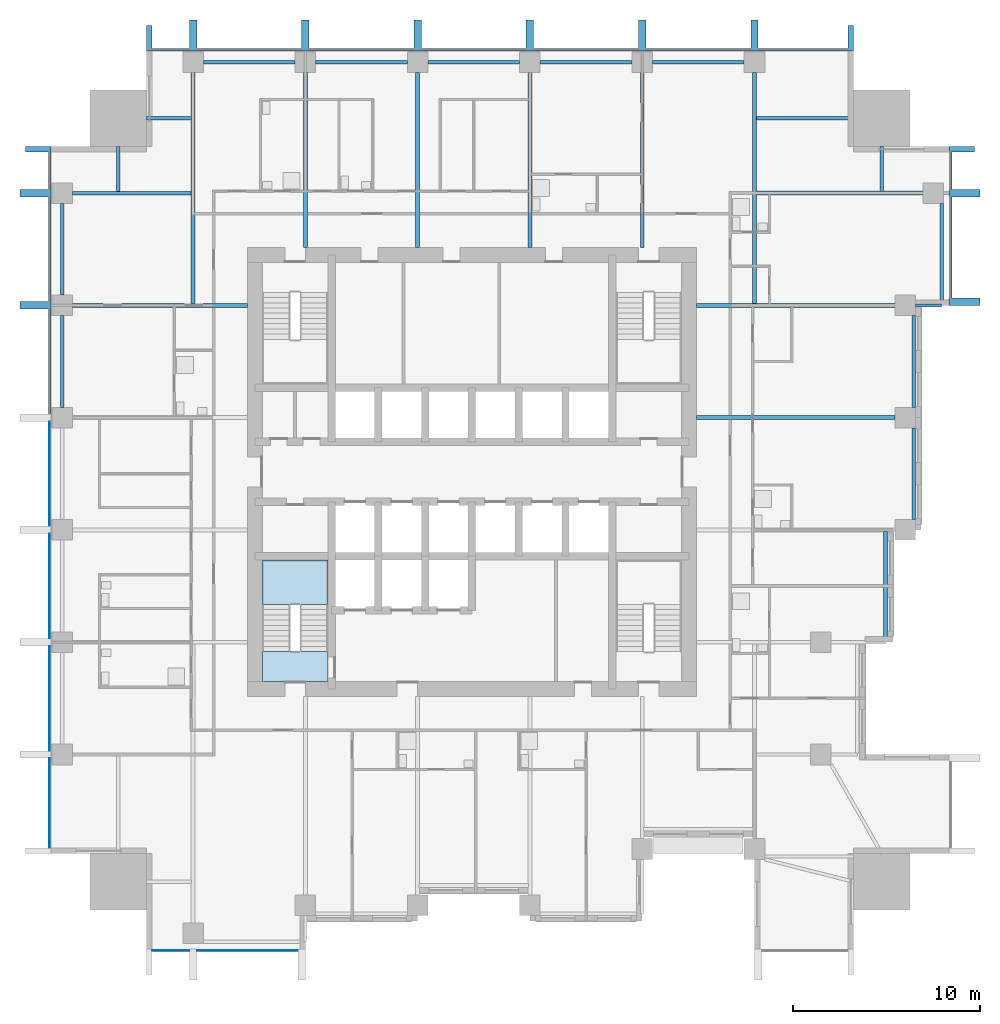
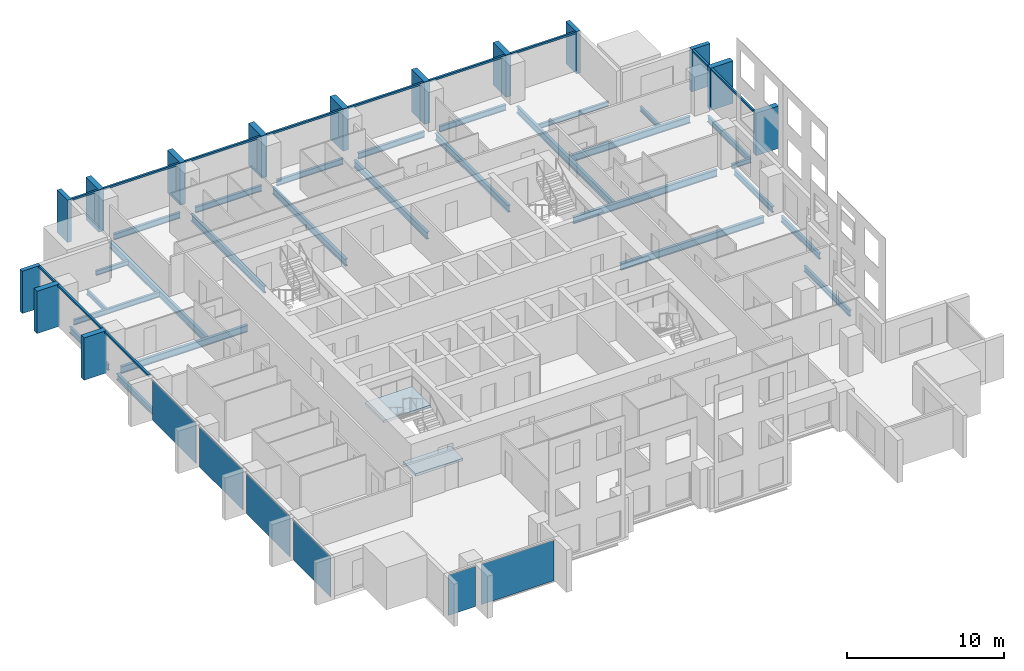
# One storey, part 2 of 11: 27 beams, 26 members, 6 plates, 2 slabs, 5 elements without a shape of their own.
"""IFC4 building model written with IfcOpenShell, lengths in metres."""

from ifc_helpers import new_model, si_unit, direction, frame, origin, origin_2d, place, context, subcontext, project, spatial, polyline, rectangle, i_section, outline, extrude, material, layer, layer_set, material_profile, profile_set, type_object, element, aggregate, save


model = new_model("IFC4")

# Units and contexts
model_context = context("Model", 3, precision=1e-05, world=origin(), true_north=direction((0.0, 1.0)))
body_context = subcontext(model_context, "Body", "Model", "MODEL_VIEW")
ifc_project = project(units=[si_unit("LENGTHUNIT", "METRE"), si_unit("AREAUNIT", "SQUARE_METRE"), si_unit("VOLUMEUNIT", "CUBIC_METRE"), si_unit("PLANEANGLEUNIT", "RADIAN"), si_unit("MASSUNIT", "GRAM", prefix="KILO")], contexts=[model_context])

# Site, building, storey
site_placement = place(None, origin())
site = spatial("IfcSite", under=ifc_project, at=site_placement, CompositionType="ELEMENT")
building_placement = place(site_placement, origin())
building = spatial("IfcBuilding", under=site, at=building_placement, Name="Amberfall Residences", CompositionType="ELEMENT")
storey_placement = place(building_placement, frame((0.0, 0.0, 115.0)))
storey = spatial("IfcBuildingStorey", under=building, at=storey_placement, Name="L31", CompositionType="ELEMENT", Elevation=115.0)

# Curtain wall, members
ifc_material_1 = material(Name="Bronze anodised aluminium and glass", Category="aluminium")
curtain_wall_type = type_object("IfcCurtainWallType", Name="Curtain wall CW1 tower unit", PredefinedType="USERDEFINED", material=ifc_material_1)
curtain_wall_1_placement = place(storey_placement, origin())
curtain_wall_1 = element("IfcCurtainWall", 1, at=curtain_wall_1_placement, inside=storey, type_object=curtain_wall_type, Name="Curtain wall L31 E E10", ObjectType="UNITISED CURTAIN WALL", PredefinedType="USERDEFINED")
ifc_material_2 = material(Name="Bronze anodised aluminium", Category="aluminium")
ifc_material_profile_1 = material_profile(ifc_material_2, rectangle(XDim=0.14990234375, YDim=0.14990234375, at=origin_2d()), Name="CW1 transom 150 x 150 bronze")
ifc_profile_set_1 = profile_set([ifc_material_profile_1], Name="Bronze anodised aluminium")
member_type_1 = type_object("IfcMemberType", Name="CW1 transom 150 x 150 bronze", PredefinedType="USERDEFINED", material=ifc_profile_set_1)
member_1_placement = place(storey_placement, frame((100.074951171875, 54.800048828125, 2.97509765625), z_axis=(0.0, 1.0, 0.0), x_axis=(-1.0, 0.0, 0.0)))
member_1 = element("IfcMember", 2, at=member_1_placement, type_object=member_type_1, Name="CW1 transom 1.1", ObjectType="TRANSOM", PredefinedType="USERDEFINED", context=body_context, shape_type="SweptSolid", body=[
    extrude(rectangle(XDim=0.14990234375, YDim=0.14990234375, at=origin_2d()), origin(), (0.0, 0.0, 1.0), 5.39990234375),
])
member_2_placement = place(storey_placement, frame((100.074951171875, 60.60009765625, 2.97509765625), z_axis=(0.0, 1.0, 0.0), x_axis=(-1.0, 0.0, 0.0)))
member_2 = element("IfcMember", 3, at=member_2_placement, type_object=member_type_1, Name="CW1 transom 2.1", ObjectType="TRANSOM", PredefinedType="USERDEFINED", context=body_context, shape_type="SweptSolid", body=[
    extrude(rectangle(XDim=0.14990234375, YDim=0.14990234375, at=origin_2d()), origin(), (0.0, 0.0, 1.0), 2.0),
])

curtain_wall_2_placement = place(storey_placement, origin())
curtain_wall_2 = element("IfcCurtainWall", 4, at=curtain_wall_2_placement, inside=storey, type_object=curtain_wall_type, Name="Curtain wall L31 N N1", ObjectType="UNITISED CURTAIN WALL", PredefinedType="USERDEFINED")
member_3_placement = place(storey_placement, frame((94.60009765625, 68.074951171875, 2.97509765625), z_axis=(-1.0, 0.0, 0.0), x_axis=(0.0, -1.0, 0.0)))
member_3 = element("IfcMember", 5, at=member_3_placement, type_object=member_type_1, Name="CW1 transom 1.1", ObjectType="TRANSOM", PredefinedType="USERDEFINED", context=body_context, shape_type="SweptSolid", body=[
    extrude(rectangle(XDim=0.14990234375, YDim=0.14990234375, at=origin_2d()), origin(), (0.0, 0.0, 1.0), 4.800048828125),
])
member_4_placement = place(storey_placement, frame((89.39990234375, 68.074951171875, 2.97509765625), z_axis=(-1.0, 0.0, 0.0), x_axis=(0.0, -1.0, 0.0)))
member_4 = element("IfcMember", 6, at=member_4_placement, type_object=member_type_1, Name="CW1 transom 2.1", ObjectType="TRANSOM", PredefinedType="USERDEFINED", context=body_context, shape_type="SweptSolid", body=[
    extrude(rectangle(XDim=0.14990234375, YDim=0.14990234375, at=origin_2d()), origin(), (0.0, 0.0, 1.0), 5.599853515625),
])
member_5_placement = place(storey_placement, frame((83.39990234375, 68.074951171875, 2.97509765625), z_axis=(-1.0, 0.0, 0.0), x_axis=(0.0, -1.0, 0.0)))
member_5 = element("IfcMember", 7, at=member_5_placement, type_object=member_type_1, Name="CW1 transom 3.1", ObjectType="TRANSOM", PredefinedType="USERDEFINED", context=body_context, shape_type="SweptSolid", body=[
    extrude(rectangle(XDim=0.14990234375, YDim=0.14990234375, at=origin_2d()), origin(), (0.0, 0.0, 1.0), 5.599853515625),
])
member_6_placement = place(storey_placement, frame((77.39990234375, 68.074951171875, 2.97509765625), z_axis=(-1.0, 0.0, 0.0), x_axis=(0.0, -1.0, 0.0)))
member_6 = element("IfcMember", 8, at=member_6_placement, type_object=member_type_1, Name="CW1 transom 4.1", ObjectType="TRANSOM", PredefinedType="USERDEFINED", context=body_context, shape_type="SweptSolid", body=[
    extrude(rectangle(XDim=0.14990234375, YDim=0.14990234375, at=origin_2d()), origin(), (0.0, 0.0, 1.0), 5.599853515625),
])
member_7_placement = place(storey_placement, frame((71.39990234375, 68.074951171875, 2.97509765625), z_axis=(-1.0, 0.0, 0.0), x_axis=(0.0, -1.0, 0.0)))
member_7 = element("IfcMember", 9, at=member_7_placement, type_object=member_type_1, Name="CW1 transom 5.1", ObjectType="TRANSOM", PredefinedType="USERDEFINED", context=body_context, shape_type="SweptSolid", body=[
    extrude(rectangle(XDim=0.14990234375, YDim=0.14990234375, at=origin_2d()), origin(), (0.0, 0.0, 1.0), 5.599853515625),
])
member_8_placement = place(storey_placement, frame((65.39990234375, 68.074951171875, 2.97509765625), z_axis=(-1.0, 0.0, 0.0), x_axis=(0.0, -1.0, 0.0)))
member_8 = element("IfcMember", 10, at=member_8_placement, type_object=member_type_1, Name="CW1 transom 6.1", ObjectType="TRANSOM", PredefinedType="USERDEFINED", context=body_context, shape_type="SweptSolid", body=[
    extrude(rectangle(XDim=0.14990234375, YDim=0.14990234375, at=origin_2d()), origin(), (0.0, 0.0, 1.0), 5.599853515625),
])
member_9_placement = place(storey_placement, frame((59.39990234375, 68.074951171875, 2.97509765625), z_axis=(-1.0, 0.0, 0.0), x_axis=(0.0, -1.0, 0.0)))
member_9 = element("IfcMember", 11, at=member_9_placement, type_object=member_type_1, Name="CW1 transom 7.1", ObjectType="TRANSOM", PredefinedType="USERDEFINED", context=body_context, shape_type="SweptSolid", body=[
    extrude(rectangle(XDim=0.14990234375, YDim=0.14990234375, at=origin_2d()), origin(), (0.0, 0.0, 1.0), 2.0),
])

curtain_wall_3_placement = place(storey_placement, origin())
curtain_wall_3 = element("IfcCurtainWall", 12, at=curtain_wall_3_placement, inside=storey, type_object=curtain_wall_type, Name="Curtain wall L31 W W1", ObjectType="UNITISED CURTAIN WALL", PredefinedType="USERDEFINED")
member_10_placement = place(storey_placement, frame((51.925048828125, 62.60009765625, 2.97509765625), z_axis=(0.0, -1.0, 0.0), x_axis=(1.0, 0.0, 0.0)))
member_10 = element("IfcMember", 13, at=member_10_placement, type_object=member_type_1, Name="CW1 transom 1.1", ObjectType="TRANSOM", PredefinedType="USERDEFINED", context=body_context, shape_type="SweptSolid", body=[
    extrude(rectangle(XDim=0.14990234375, YDim=0.14990234375, at=origin_2d()), origin(), (0.0, 0.0, 1.0), 2.0),
])
member_11_placement = place(storey_placement, frame((51.925048828125, 60.199951171875, 2.97509765625), z_axis=(0.0, -1.0, 0.0), x_axis=(1.0, 0.0, 0.0)))
member_11 = element("IfcMember", 14, at=member_11_placement, type_object=member_type_1, Name="CW1 transom 2.1", ObjectType="TRANSOM", PredefinedType="USERDEFINED", context=body_context, shape_type="SweptSolid", body=[
    extrude(rectangle(XDim=0.14990234375, YDim=0.14990234375, at=origin_2d()), origin(), (0.0, 0.0, 1.0), 5.599853515625),
])
member_12_placement = place(storey_placement, frame((51.925048828125, 54.199951171875, 2.97509765625), z_axis=(0.0, -1.0, 0.0), x_axis=(1.0, 0.0, 0.0)))
member_12 = element("IfcMember", 15, at=member_12_placement, type_object=member_type_1, Name="CW1 transom 3.1", ObjectType="TRANSOM", PredefinedType="USERDEFINED", context=body_context, shape_type="SweptSolid", body=[
    extrude(rectangle(XDim=0.14990234375, YDim=0.14990234375, at=origin_2d()), origin(), (0.0, 0.0, 1.0), 5.599853515625),
])

# Beam
ifc_material_3 = material(Name="Steel S355", Category="steel")
ifc_material_profile_2 = material_profile(ifc_material_3, i_section(OverallWidth=0.171142578125, OverallDepth=0.351318359375, WebThickness=0.007080078125, FlangeThickness=0.009765625, FilletRadius=0.01025390625, at=origin_2d()), Name="UB 356x171x45")
ifc_profile_set_2 = profile_set([ifc_material_profile_2], Name="Steel S355")
beam_type_1 = type_object("IfcBeamType", Name="Cantilever girder UB 356x171x45", PredefinedType="BEAM", material=ifc_profile_set_2)
beam_1_placement = place(storey_placement, frame((98.199951171875, 54.39990234375, -0.42578125), z_axis=(1.0, 0.0, 0.0), x_axis=(0.0, 1.0, 0.0)))
element("IfcBeam", 16, at=beam_1_placement, inside=storey, type_object=beam_type_1, Name="Cantilever girder B8 L31 21", PredefinedType="BEAM", context=body_context, shape_type="SweptSolid", body=[
    extrude(i_section(OverallWidth=0.171142578125, OverallDepth=0.351318359375, WebThickness=0.007080078125, FlangeThickness=0.009765625, FilletRadius=0.01025390625, at=origin_2d()), origin(), (0.0, 0.0, 1.0), 1.400146484375),
])

# Member
ifc_material_profile_3 = material_profile(ifc_material_2, rectangle(XDim=1.35009765625, YDim=0.300048828125, at=origin_2d()), Name="Corner fin 300 x 1350 bronze")
ifc_profile_set_3 = profile_set([ifc_material_profile_3], Name="Bronze anodised aluminium")
member_type_2 = type_object("IfcMemberType", Name="Corner fin 300 x 1350 bronze", PredefinedType="MULLION", material=ifc_profile_set_3)
member_13_placement = place(storey_placement, frame((100.675048828125, 62.75, -0.25), z_axis=(0.0, 0.0, 1.0), x_axis=(-1.0, 0.0, 0.0)))
member_13 = element("IfcMember", 17, at=member_13_placement, type_object=member_type_2, Name="CW FIN 3", PredefinedType="MULLION", context=body_context, shape_type="SweptSolid", body=[
    extrude(rectangle(XDim=1.35009765625, YDim=0.300048828125, at=origin_2d()), origin(), (0.0, 0.0, 1.0), 3.300048828125),
])

member_14_placement = place(storey_placement, frame((94.75, 68.675048828125, -0.25), z_axis=(0.0, 0.0, 1.0), x_axis=(0.0, -1.0, 0.0)))
member_14 = element("IfcMember", 18, at=member_14_placement, type_object=member_type_2, Name="CW FIN 1", PredefinedType="MULLION", context=body_context, shape_type="SweptSolid", body=[
    extrude(rectangle(XDim=1.35009765625, YDim=0.300048828125, at=origin_2d()), origin(), (0.0, 0.0, 1.0), 3.300048828125),
])

member_15_placement = place(storey_placement, frame((57.25, 68.675048828125, -0.25), z_axis=(0.0, 0.0, 1.0), x_axis=(0.0, -1.0, 0.0)))
member_15 = element("IfcMember", 19, at=member_15_placement, type_object=member_type_2, Name="CW FIN 8", PredefinedType="MULLION", context=body_context, shape_type="SweptSolid", body=[
    extrude(rectangle(XDim=1.35009765625, YDim=0.300048828125, at=origin_2d()), origin(), (0.0, 0.0, 1.0), 3.300048828125),
])

member_16_placement = place(storey_placement, frame((51.324951171875, 62.75, -0.25), z_axis=(0.0, 0.0, 1.0), x_axis=(1.0, 0.0, 0.0)))
member_16 = element("IfcMember", 20, at=member_16_placement, type_object=member_type_2, Name="CW FIN 1", PredefinedType="MULLION", context=body_context, shape_type="SweptSolid", body=[
    extrude(rectangle(XDim=1.35009765625, YDim=0.300048828125, at=origin_2d()), origin(), (0.0, 0.0, 1.0), 3.300048828125),
])

# Beams
ifc_material_profile_4 = material_profile(ifc_material_3, i_section(OverallWidth=0.18994140625, OverallDepth=0.453369140625, WebThickness=0.008544921875, FlangeThickness=0.0126953125, FilletRadius=0.01025390625, at=origin_2d()), Name="UB 457x191x67")
ifc_profile_set_4 = profile_set([ifc_material_profile_4], Name="Steel S355")
beam_type_2 = type_object("IfcBeamType", Name="Edge beam UB 457x191x67", PredefinedType="SPANDREL", material=ifc_profile_set_4)
beam_2_placement = place(storey_placement, frame((96.60009765625, 36.47998046875, -0.476806640625), z_axis=(0.0, 1.0, 0.0), x_axis=(-1.0, 0.0, 0.0)))
element("IfcBeam", 21, at=beam_2_placement, inside=storey, type_object=beam_type_2, Name="Edge beam B1 L31 15", PredefinedType="SPANDREL", context=body_context, shape_type="SweptSolid", body=[
    extrude(i_section(OverallWidth=0.18994140625, OverallDepth=0.453369140625, WebThickness=0.008544921875, FlangeThickness=0.0126953125, FilletRadius=0.01025390625, at=origin_2d()), origin(), (0.0, 0.0, 1.0), 5.840087890625),
])
for number, where, z_axis, x_axis, name in (
    (22, (98.10009765625, 42.949951171875, -0.476806640625), (0.0, 1.0, 0.0), (-1.0, 0.0, 0.0), "Edge beam B1 L31 16"),
    (23, (98.10009765625, 48.949951171875, -0.476806640625), (0.0, 1.0, 0.0), (-1.0, 0.0, 0.0), "Edge beam B1 L31 17"),
):
    element("IfcBeam", number, at=place(storey_placement, frame(where, z_axis=z_axis, x_axis=x_axis)), inside=storey, type_object=beam_type_2, Name=name, PredefinedType="SPANDREL", context=body_context, shape_type="SweptSolid", body=[
        extrude(i_section(OverallWidth=0.18994140625, OverallDepth=0.453369140625, WebThickness=0.008544921875, FlangeThickness=0.0126953125, FilletRadius=0.01025390625, at=origin_2d()), origin(), (0.0, 0.0, 1.0), 4.900146484375),
    ])
beam_3_placement = place(storey_placement, frame((99.60009765625, 54.47998046875, -0.476806640625), z_axis=(0.0, 1.0, 0.0), x_axis=(-1.0, 0.0, 0.0)))
element("IfcBeam", 24, at=beam_3_placement, inside=storey, type_object=beam_type_2, Name="Edge beam B1 L31 18", PredefinedType="SPANDREL", context=body_context, shape_type="SweptSolid", body=[
    extrude(i_section(OverallWidth=0.18994140625, OverallDepth=0.453369140625, WebThickness=0.008544921875, FlangeThickness=0.0126953125, FilletRadius=0.01025390625, at=origin_2d()), origin(), (0.0, 0.0, 1.0), 5.3701171875),
])
for number, where, z_axis, x_axis, name in (
    (25, (60.14990234375, 67.39990234375, -0.476806640625), (1.0, 0.0, 0.0), (0.0, 1.0, 0.0), "Edge beam B1 L31 28"),
    (26, (66.14990234375, 67.39990234375, -0.476806640625), (1.0, 0.0, 0.0), (0.0, 1.0, 0.0), "Edge beam B1 L31 29"),
    (27, (72.14990234375, 67.39990234375, -0.476806640625), (1.0, 0.0, 0.0), (0.0, 1.0, 0.0), "Edge beam B1 L31 30"),
    (28, (78.14990234375, 67.39990234375, -0.476806640625), (1.0, 0.0, 0.0), (0.0, 1.0, 0.0), "Edge beam B1 L31 31"),
    (29, (84.14990234375, 67.39990234375, -0.476806640625), (1.0, 0.0, 0.0), (0.0, 1.0, 0.0), "Edge beam B1 L31 32"),
    (30, (52.60009765625, 48.949951171875, -0.476806640625), (0.0, 1.0, 0.0), (-1.0, 0.0, 0.0), "Edge beam B1 L31 42"),
    (31, (52.60009765625, 54.949951171875, -0.476806640625), (0.0, 1.0, 0.0), (-1.0, 0.0, 0.0), "Edge beam B1 L31 43"),
):
    element("IfcBeam", number, at=place(storey_placement, frame(where, z_axis=z_axis, x_axis=x_axis)), inside=storey, type_object=beam_type_2, Name=name, PredefinedType="SPANDREL", context=body_context, shape_type="SweptSolid", body=[
        extrude(i_section(OverallWidth=0.18994140625, OverallDepth=0.453369140625, WebThickness=0.008544921875, FlangeThickness=0.0126953125, FilletRadius=0.01025390625, at=origin_2d()), origin(), (0.0, 0.0, 1.0), 4.900146484375),
    ])

# Member
ifc_material_profile_5 = material_profile(ifc_material_2, rectangle(XDim=1.64990234375, YDim=0.39990234375, at=origin_2d()), Name="Fin 400 x 1650 bronze")
ifc_profile_set_5 = profile_set([ifc_material_profile_5], Name="Bronze anodised aluminium")
member_type_3 = type_object("IfcMemberType", Name="Fin 400 x 1650 bronze", PredefinedType="MULLION", material=ifc_profile_set_5)
member_17_placement = place(storey_placement, frame((100.824951171875, 54.60009765625, -0.25), z_axis=(0.0, 0.0, 1.0), x_axis=(-1.0, 0.0, 0.0)))
member_17 = element("IfcMember", 32, at=member_17_placement, type_object=member_type_3, Name="CW FIN 1", PredefinedType="MULLION", context=body_context, shape_type="SweptSolid", body=[
    extrude(rectangle(XDim=1.64990234375, YDim=0.39990234375, at=origin_2d()), origin(), (0.0, 0.0, 1.0), 3.300048828125),
])

member_18_placement = place(storey_placement, frame((100.824951171875, 60.39990234375, -0.25), z_axis=(0.0, 0.0, 1.0), x_axis=(-1.0, 0.0, 0.0)))
member_18 = element("IfcMember", 33, at=member_18_placement, type_object=member_type_3, Name="CW FIN 2", PredefinedType="MULLION", context=body_context, shape_type="SweptSolid", body=[
    extrude(rectangle(XDim=1.64990234375, YDim=0.39990234375, at=origin_2d()), origin(), (0.0, 0.0, 1.0), 3.300048828125),
])

aggregate(curtain_wall_1, [member_17, member_18, member_13, member_1, member_2])

member_19_placement = place(storey_placement, frame((89.60009765625, 68.824951171875, -0.25), z_axis=(0.0, 0.0, 1.0), x_axis=(0.0, -1.0, 0.0)))
member_19 = element("IfcMember", 34, at=member_19_placement, type_object=member_type_3, Name="CW FIN 2", PredefinedType="MULLION", context=body_context, shape_type="SweptSolid", body=[
    extrude(rectangle(XDim=1.64990234375, YDim=0.39990234375, at=origin_2d()), origin(), (0.0, 0.0, 1.0), 3.300048828125),
])

member_20_placement = place(storey_placement, frame((83.60009765625, 68.824951171875, -0.25), z_axis=(0.0, 0.0, 1.0), x_axis=(0.0, -1.0, 0.0)))
member_20 = element("IfcMember", 35, at=member_20_placement, type_object=member_type_3, Name="CW FIN 3", PredefinedType="MULLION", context=body_context, shape_type="SweptSolid", body=[
    extrude(rectangle(XDim=1.64990234375, YDim=0.39990234375, at=origin_2d()), origin(), (0.0, 0.0, 1.0), 3.300048828125),
])

member_21_placement = place(storey_placement, frame((77.60009765625, 68.824951171875, -0.25), z_axis=(0.0, 0.0, 1.0), x_axis=(0.0, -1.0, 0.0)))
member_21 = element("IfcMember", 36, at=member_21_placement, type_object=member_type_3, Name="CW FIN 4", PredefinedType="MULLION", context=body_context, shape_type="SweptSolid", body=[
    extrude(rectangle(XDim=1.64990234375, YDim=0.39990234375, at=origin_2d()), origin(), (0.0, 0.0, 1.0), 3.300048828125),
])

member_22_placement = place(storey_placement, frame((71.60009765625, 68.824951171875, -0.25), z_axis=(0.0, 0.0, 1.0), x_axis=(0.0, -1.0, 0.0)))
member_22 = element("IfcMember", 37, at=member_22_placement, type_object=member_type_3, Name="CW FIN 5", PredefinedType="MULLION", context=body_context, shape_type="SweptSolid", body=[
    extrude(rectangle(XDim=1.64990234375, YDim=0.39990234375, at=origin_2d()), origin(), (0.0, 0.0, 1.0), 3.300048828125),
])

member_23_placement = place(storey_placement, frame((65.60009765625, 68.824951171875, -0.25), z_axis=(0.0, 0.0, 1.0), x_axis=(0.0, -1.0, 0.0)))
member_23 = element("IfcMember", 38, at=member_23_placement, type_object=member_type_3, Name="CW FIN 6", PredefinedType="MULLION", context=body_context, shape_type="SweptSolid", body=[
    extrude(rectangle(XDim=1.64990234375, YDim=0.39990234375, at=origin_2d()), origin(), (0.0, 0.0, 1.0), 3.300048828125),
])

member_24_placement = place(storey_placement, frame((59.60009765625, 68.824951171875, -0.25), z_axis=(0.0, 0.0, 1.0), x_axis=(0.0, -1.0, 0.0)))
member_24 = element("IfcMember", 39, at=member_24_placement, type_object=member_type_3, Name="CW FIN 7", PredefinedType="MULLION", context=body_context, shape_type="SweptSolid", body=[
    extrude(rectangle(XDim=1.64990234375, YDim=0.39990234375, at=origin_2d()), origin(), (0.0, 0.0, 1.0), 3.300048828125),
])

aggregate(curtain_wall_2, [member_14, member_19, member_20, member_21, member_22, member_23, member_24, member_15, member_3, member_4, member_5, member_6, member_7, member_8, member_9])

member_25_placement = place(storey_placement, frame((51.175048828125, 60.39990234375, -0.25), z_axis=(0.0, 0.0, 1.0), x_axis=(1.0, 0.0, 0.0)))
member_25 = element("IfcMember", 40, at=member_25_placement, type_object=member_type_3, Name="CW FIN 2", PredefinedType="MULLION", context=body_context, shape_type="SweptSolid", body=[
    extrude(rectangle(XDim=1.64990234375, YDim=0.39990234375, at=origin_2d()), origin(), (0.0, 0.0, 1.0), 3.300048828125),
])

member_26_placement = place(storey_placement, frame((51.175048828125, 54.39990234375, -0.25), z_axis=(0.0, 0.0, 1.0), x_axis=(1.0, 0.0, 0.0)))
member_26 = element("IfcMember", 41, at=member_26_placement, type_object=member_type_3, Name="CW FIN 3", PredefinedType="MULLION", context=body_context, shape_type="SweptSolid", body=[
    extrude(rectangle(XDim=1.64990234375, YDim=0.39990234375, at=origin_2d()), origin(), (0.0, 0.0, 1.0), 3.300048828125),
])

# Beams
ifc_material_profile_6 = material_profile(ifc_material_3, i_section(OverallWidth=0.177734375, OverallDepth=0.402587890625, WebThickness=0.0078125, FlangeThickness=0.010986328125, FilletRadius=0.01025390625, at=origin_2d()), Name="UB 406x178x54")
ifc_profile_set_6 = profile_set([ifc_material_profile_6], Name="Steel S355")
beam_type_3 = type_object("IfcBeamType", Name="Floor girder UB 406x178x54", PredefinedType="BEAM", material=ifc_profile_set_6)
beam_4_placement = place(storey_placement, frame((53.14990234375, 60.39990234375, -0.451416015625), z_axis=(1.0, 0.0, 0.0), x_axis=(0.0, 1.0, 0.0)))
element("IfcBeam", 42, at=beam_4_placement, inside=storey, type_object=beam_type_3, Name="Floor girder B4 L31 49", PredefinedType="BEAM", context=body_context, shape_type="SweptSolid", body=[
    extrude(i_section(OverallWidth=0.177734375, OverallDepth=0.402587890625, WebThickness=0.0078125, FlangeThickness=0.010986328125, FilletRadius=0.01025390625, at=origin_2d()), origin(), (0.0, 0.0, 1.0), 6.330078125),
])
ifc_material_profile_7 = material_profile(ifc_material_3, i_section(OverallWidth=0.210693359375, OverallDepth=0.53955078125, WebThickness=0.01171875, FlangeThickness=0.018798828125, FilletRadius=0.0126953125, at=origin_2d()), Name="UB 533x210x109")
ifc_profile_set_7 = profile_set([ifc_material_profile_7], Name="Steel S355")
beam_type_4 = type_object("IfcBeamType", Name="Floor girder UB 533x210x109", PredefinedType="BEAM", material=ifc_profile_set_7)
for number, where, z_axis, x_axis, name in (
    (43, (59.60009765625, 66.85009765625, -0.519775390625), (0.0, -1.0, 0.0), (1.0, 0.0, 0.0), "Floor girder B2 L31 33"),
    (44, (89.60009765625, 66.85009765625, -0.519775390625), (0.0, -1.0, 0.0), (1.0, 0.0, 0.0), "Floor girder B2 L31 38"),
):
    element("IfcBeam", number, at=place(storey_placement, frame(where, z_axis=z_axis, x_axis=x_axis)), inside=storey, type_object=beam_type_4, Name=name, PredefinedType="BEAM", context=body_context, shape_type="SweptSolid", body=[
        extrude(i_section(OverallWidth=0.210693359375, OverallDepth=0.53955078125, WebThickness=0.01171875, FlangeThickness=0.018798828125, FilletRadius=0.0126953125, at=origin_2d()), origin(), (0.0, 0.0, 1.0), 12.3505859375),
    ])
ifc_material_profile_8 = material_profile(ifc_material_3, i_section(OverallWidth=0.209228515625, OverallDepth=0.533203125, WebThickness=0.010009765625, FlangeThickness=0.015625, FilletRadius=0.0126953125, at=origin_2d()), Name="UB 533x210x92")
ifc_profile_set_8 = profile_set([ifc_material_profile_8], Name="Steel S355")
beam_type_5 = type_object("IfcBeamType", Name="Floor girder UB 533x210x92", PredefinedType="BEAM", material=ifc_profile_set_8)
for number, where, z_axis, x_axis, name in (
    (45, (97.10009765625, 48.39990234375, -0.5166015625), (-1.0, 0.0, 0.0), (0.0, -1.0, 0.0), "Floor girder B3 L31 25"),
    (46, (97.10009765625, 54.39990234375, -0.5166015625), (-1.0, 0.0, 0.0), (0.0, -1.0, 0.0), "Floor girder B3 L31 26"),
):
    element("IfcBeam", number, at=place(storey_placement, frame(where, z_axis=z_axis, x_axis=x_axis)), inside=storey, type_object=beam_type_5, Name=name, PredefinedType="BEAM", context=body_context, shape_type="SweptSolid", body=[
        extrude(i_section(OverallWidth=0.209228515625, OverallDepth=0.533203125, WebThickness=0.010009765625, FlangeThickness=0.015625, FilletRadius=0.0126953125, at=origin_2d()), origin(), (0.0, 0.0, 1.0), 10.60009765625),
    ])
beam_5_placement = place(storey_placement, frame((98.60009765625, 60.39990234375, -0.5166015625), z_axis=(-1.0, 0.0, 0.0), x_axis=(0.0, -1.0, 0.0)))
element("IfcBeam", 47, at=beam_5_placement, inside=storey, type_object=beam_type_5, Name="Floor girder B3 L31 27", PredefinedType="BEAM", context=body_context, shape_type="SweptSolid", body=[
    extrude(i_section(OverallWidth=0.209228515625, OverallDepth=0.533203125, WebThickness=0.010009765625, FlangeThickness=0.015625, FilletRadius=0.0126953125, at=origin_2d()), origin(), (0.0, 0.0, 1.0), 8.880126953125),
])
for number, where, z_axis, x_axis, name in (
    (48, (65.60009765625, 66.85009765625, -0.5166015625), (0.0, -1.0, 0.0), (1.0, 0.0, 0.0), "Floor girder B3 L31 34"),
    (49, (71.60009765625, 66.85009765625, -0.5166015625), (0.0, -1.0, 0.0), (1.0, 0.0, 0.0), "Floor girder B3 L31 35"),
    (50, (77.60009765625, 66.85009765625, -0.5166015625), (0.0, -1.0, 0.0), (1.0, 0.0, 0.0), "Floor girder B3 L31 36"),
    (51, (83.60009765625, 66.85009765625, -0.5166015625), (0.0, -1.0, 0.0), (1.0, 0.0, 0.0), "Floor girder B3 L31 37"),
    (52, (53.14990234375, 54.39990234375, -0.5166015625), (1.0, 0.0, 0.0), (0.0, 1.0, 0.0), "Floor girder B3 L31 48"),
):
    element("IfcBeam", number, at=place(storey_placement, frame(where, z_axis=z_axis, x_axis=x_axis)), inside=storey, type_object=beam_type_5, Name=name, PredefinedType="BEAM", context=body_context, shape_type="SweptSolid", body=[
        extrude(i_section(OverallWidth=0.209228515625, OverallDepth=0.533203125, WebThickness=0.010009765625, FlangeThickness=0.015625, FilletRadius=0.0126953125, at=origin_2d()), origin(), (0.0, 0.0, 1.0), 9.35009765625),
    ])
ifc_material_profile_9 = material_profile(ifc_material_3, i_section(OverallWidth=0.171142578125, OverallDepth=0.351318359375, WebThickness=0.007080078125, FlangeThickness=0.009765625, FilletRadius=0.01025390625, at=origin_2d()), Name="UB 356x171x45")
ifc_profile_set_9 = profile_set([ifc_material_profile_9], Name="Steel S355")
beam_type_6 = type_object("IfcBeamType", Name="Link beam UB 356x171x45", PredefinedType="BEAM", material=ifc_profile_set_9)
beam_6_placement = place(storey_placement, frame((94.89990234375, 64.39990234375, -0.42578125), z_axis=(-1.0, 0.0, 0.0), x_axis=(0.0, -1.0, 0.0)))
element("IfcBeam", 53, at=beam_6_placement, inside=storey, type_object=beam_type_6, Name="Link beam B7 L31 55", PredefinedType="BEAM", context=body_context, shape_type="SweptSolid", body=[
    extrude(i_section(OverallWidth=0.171142578125, OverallDepth=0.351318359375, WebThickness=0.007080078125, FlangeThickness=0.009765625, FilletRadius=0.01025390625, at=origin_2d()), origin(), (0.0, 0.0, 1.0), 5.20458984375),
])
beam_7_placement = place(storey_placement, frame((96.39990234375, 62.89990234375, -0.42578125), z_axis=(0.0, -1.0, 0.0), x_axis=(1.0, 0.0, 0.0)))
element("IfcBeam", 54, at=beam_7_placement, inside=storey, type_object=beam_type_6, Name="Link beam B7 L31 56", PredefinedType="BEAM", context=body_context, shape_type="SweptSolid", body=[
    extrude(i_section(OverallWidth=0.171142578125, OverallDepth=0.351318359375, WebThickness=0.007080078125, FlangeThickness=0.009765625, FilletRadius=0.01025390625, at=origin_2d()), origin(), (0.0, 0.0, 1.0), 2.4052734375),
])
beam_8_placement = place(storey_placement, frame((57.10009765625, 64.39990234375, -0.42578125), z_axis=(1.0, 0.0, 0.0), x_axis=(0.0, 1.0, 0.0)))
element("IfcBeam", 55, at=beam_8_placement, inside=storey, type_object=beam_type_6, Name="Link beam B7 L31 57", PredefinedType="BEAM", context=body_context, shape_type="SweptSolid", body=[
    extrude(i_section(OverallWidth=0.171142578125, OverallDepth=0.351318359375, WebThickness=0.007080078125, FlangeThickness=0.009765625, FilletRadius=0.01025390625, at=origin_2d()), origin(), (0.0, 0.0, 1.0), 2.404541015625),
])
beam_9_placement = place(storey_placement, frame((55.60009765625, 62.89990234375, -0.42578125), z_axis=(0.0, -1.0, 0.0), x_axis=(1.0, 0.0, 0.0)))
element("IfcBeam", 56, at=beam_9_placement, inside=storey, type_object=beam_type_6, Name="Link beam B7 L31 58", PredefinedType="BEAM", context=body_context, shape_type="SweptSolid", body=[
    extrude(i_section(OverallWidth=0.171142578125, OverallDepth=0.351318359375, WebThickness=0.007080078125, FlangeThickness=0.009765625, FilletRadius=0.01025390625, at=origin_2d()), origin(), (0.0, 0.0, 1.0), 2.4208984375),
])

# Curtain wall, plates
curtain_wall_4_placement = place(storey_placement, origin())
curtain_wall_4 = element("IfcCurtainWall", 57, at=curtain_wall_4_placement, inside=storey, type_object=curtain_wall_type, Name="Curtain wall L31 S S1", ObjectType="UNITISED CURTAIN WALL", PredefinedType="USERDEFINED")
ifc_material_4 = material(Name="Tinted double glazed unit", Category="glass")
ifc_layer_1 = layer(ifc_material_4, 0.035888671875)
ifc_layer_set_1 = layer_set([ifc_layer_1], Name="CW1 panel 36 glazing")
plate_type = type_object("IfcPlateType", Name="CW1 panel 36 glazing", PredefinedType="CURTAIN_PANEL", material=ifc_layer_set_1)
plate_1_placement = place(storey_placement, frame((58.39990234375, 19.925048828125, -0.25), z_axis=(0.0, 0.0, 1.0), x_axis=(1.0, 0.0, 0.0)))
plate_1 = element("IfcPlate", 58, at=plate_1_placement, type_object=plate_type, Name="CW1 panel 1.1", PredefinedType="CURTAIN_PANEL", context=body_context, shape_type="SweptSolid", body=[
    extrude(rectangle(XDim=1.97607421875, YDim=0.035888671875, at=origin_2d()), origin(), (0.0, 0.0, 1.0), 3.14990234375),
])
plate_2_placement = place(storey_placement, frame((62.5, 19.925048828125, -0.25), z_axis=(0.0, 0.0, 1.0), x_axis=(1.0, 0.0, 0.0)))
plate_2 = element("IfcPlate", 59, at=plate_2_placement, type_object=plate_type, Name="CW1 panel 2.1", PredefinedType="CURTAIN_PANEL", context=body_context, shape_type="SweptSolid", body=[
    extrude(rectangle(XDim=5.3759765625, YDim=0.035888671875, at=origin_2d()), origin(), (0.0, 0.0, 1.0), 3.14990234375),
])
aggregate(curtain_wall_4, [plate_1, plate_2])

# Plate
plate_3_placement = place(storey_placement, frame((51.925048828125, 45.39990234375, -0.25), z_axis=(0.0, 0.0, 1.0), x_axis=(0.0, -1.0, 0.0)))
plate_3 = element("IfcPlate", 60, at=plate_3_placement, type_object=plate_type, Name="CW1 panel 4.1", PredefinedType="CURTAIN_PANEL", context=body_context, shape_type="SweptSolid", body=[
    extrude(rectangle(XDim=5.575927734375, YDim=0.035888671875, at=origin_2d()), origin(), (0.0, 0.0, 1.0), 3.14990234375),
])

plate_4_placement = place(storey_placement, frame((51.925048828125, 39.39990234375, -0.25), z_axis=(0.0, 0.0, 1.0), x_axis=(0.0, -1.0, 0.0)))
plate_4 = element("IfcPlate", 61, at=plate_4_placement, type_object=plate_type, Name="CW1 panel 5.1", PredefinedType="CURTAIN_PANEL", context=body_context, shape_type="SweptSolid", body=[
    extrude(rectangle(XDim=5.575927734375, YDim=0.035888671875, at=origin_2d()), origin(), (0.0, 0.0, 1.0), 3.14990234375),
])

plate_5_placement = place(storey_placement, frame((51.925048828125, 33.39990234375, -0.25), z_axis=(0.0, 0.0, 1.0), x_axis=(0.0, -1.0, 0.0)))
plate_5 = element("IfcPlate", 62, at=plate_5_placement, type_object=plate_type, Name="CW1 panel 6.1", PredefinedType="CURTAIN_PANEL", context=body_context, shape_type="SweptSolid", body=[
    extrude(rectangle(XDim=5.575927734375, YDim=0.035888671875, at=origin_2d()), origin(), (0.0, 0.0, 1.0), 3.14990234375),
])

plate_6_placement = place(storey_placement, frame((51.925048828125, 27.800048828125, -0.25), z_axis=(0.0, 0.0, 1.0), x_axis=(0.0, -1.0, 0.0)))
plate_6 = element("IfcPlate", 63, at=plate_6_placement, type_object=plate_type, Name="CW1 panel 7.1", PredefinedType="CURTAIN_PANEL", context=body_context, shape_type="SweptSolid", body=[
    extrude(rectangle(XDim=4.77587890625, YDim=0.035888671875, at=origin_2d()), origin(), (0.0, 0.0, 1.0), 3.14990234375),
])

aggregate(curtain_wall_3, [member_16, member_25, member_26, member_10, member_11, member_12, plate_3, plate_4, plate_5, plate_6])

# Stair, slabs
ifc_material_5 = material(Name="Concrete C40", Category="concrete")
stair_type = type_object("IfcStairType", Name="Exit stair 20 risers 165.0 mm", PredefinedType="HALF_TURN_STAIR", material=ifc_material_5)
stair_placement = place(storey_placement, origin())
stair = element("IfcStair", 64, at=stair_placement, inside=storey, type_object=stair_type, Name="L31 Exit stair 1", PredefinedType="HALF_TURN_STAIR")
ifc_layer_2 = layer(ifc_material_5, 0.199951171875)
ifc_layer_set_2 = layer_set([ifc_layer_2], Name="Stair landing 200")
slab_type = type_object("IfcSlabType", Name="Stair landing 200", PredefinedType="LANDING", material=ifc_layer_set_2)
slab_1_placement = place(storey_placement, frame((0.0, 0.0, 1.449951171875)))
slab_1 = element("IfcSlab", 65, at=slab_1_placement, type_object=slab_type, Name="ST3 landing 1", PredefinedType="LANDING", context=body_context, shape_type="SweptSolid", body=[
    extrude(outline(polyline([(66.800048828125, 38.419921875), (66.800048828125, 40.800048828125), (63.300048828125, 40.800048828125), (63.300048828125, 38.419921875), (66.800048828125, 38.419921875)])), origin(), (0.0, 0.0, 1.0), 0.199951171875),
])
slab_2_placement = place(storey_placement, frame((0.0, 0.0, -0.199951171875)))
slab_2 = element("IfcSlab", 66, at=slab_2_placement, type_object=slab_type, Name="ST3 landing 2", PredefinedType="LANDING", context=body_context, shape_type="SweptSolid", body=[
    extrude(outline(polyline([(66.800048828125, 34.300048828125), (66.800048828125, 35.89990234375), (63.300048828125, 35.89990234375), (63.300048828125, 34.300048828125), (66.800048828125, 34.300048828125)])), origin(), (0.0, 0.0, 1.0), 0.199951171875),
])
aggregate(stair, [slab_1, slab_2])

save(model, "model.ifc")
